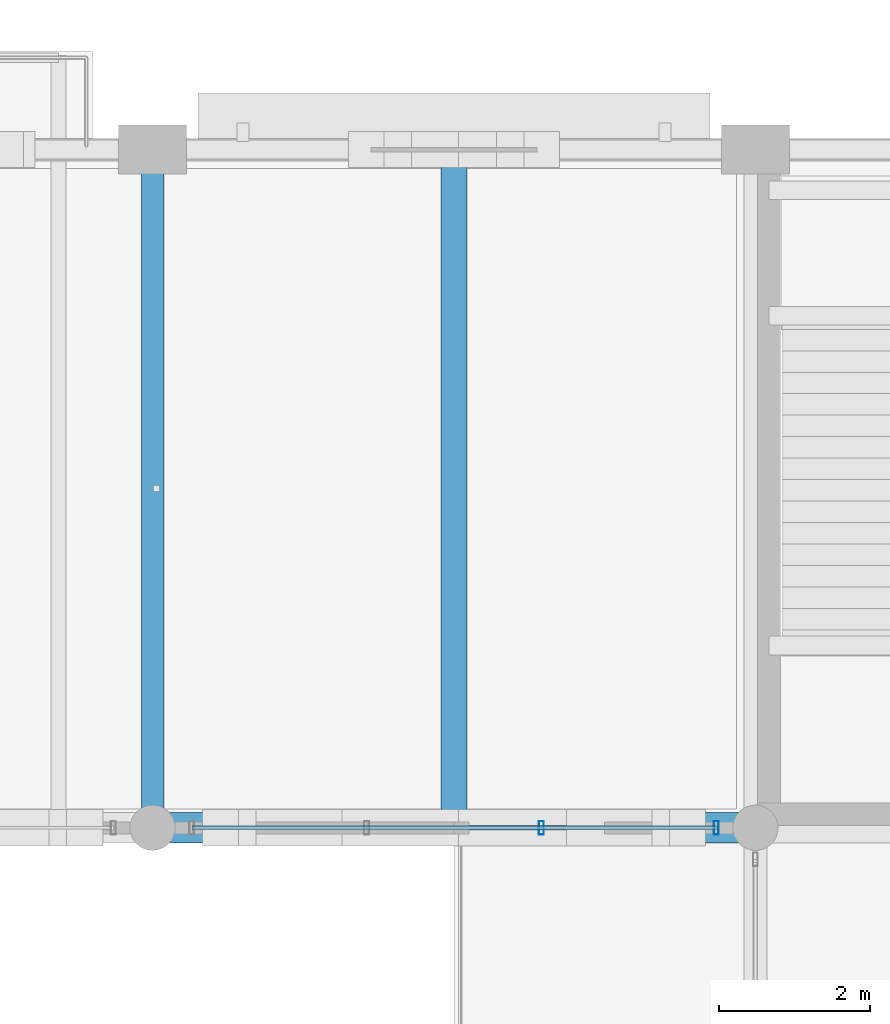
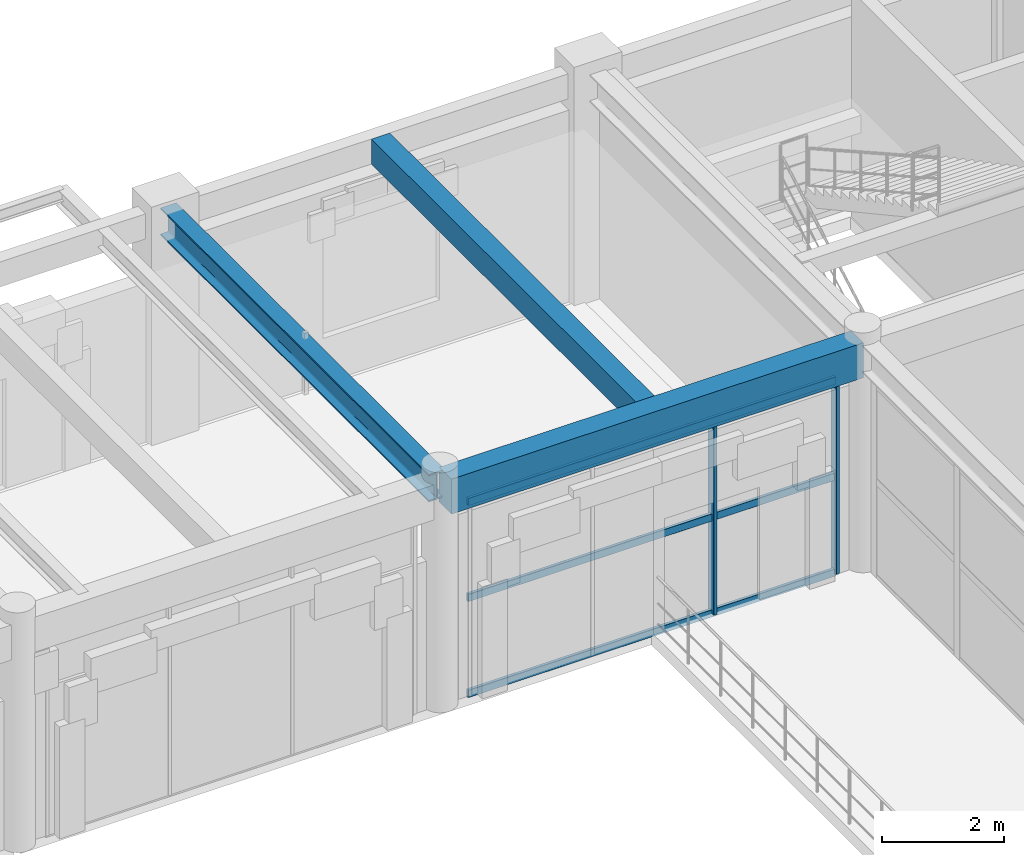
# One storey, part 68 of 144: 5 members, 3 beams, 1 element without a shape of its own.
"""IFC4 building model written with IfcOpenShell, lengths in metres."""

from ifc_helpers import new_model, si_unit, direction, frame, origin, origin_2d, place, context, subcontext, project, spatial, rectangle, hollow_rectangle, i_section, extrude, material, material_profile, profile_set, type_object, element, aggregate, save


model = new_model("IFC4")

# Units and contexts
model_context = context("Model", 3, precision=1e-05, world=origin(), true_north=direction((0.0, 1.0)))
body_context = subcontext(model_context, "Body", "Model", "MODEL_VIEW")
ifc_project = project(units=[si_unit("LENGTHUNIT", "METRE"), si_unit("AREAUNIT", "SQUARE_METRE"), si_unit("VOLUMEUNIT", "CUBIC_METRE"), si_unit("PLANEANGLEUNIT", "RADIAN"), si_unit("MASSUNIT", "GRAM", prefix="KILO")], contexts=[model_context])

# Site, building, storey
site_placement = place(None, origin())
site = spatial("IfcSite", under=ifc_project, at=site_placement, CompositionType="ELEMENT")
building_placement = place(site_placement, origin())
building = spatial("IfcBuilding", under=site, at=building_placement, Name="Varnabhumi Central Station", CompositionType="ELEMENT")
storey_placement = place(building_placement, frame((0.0, 0.0, 4.800048828125)))
storey = spatial("IfcBuildingStorey", under=building, at=storey_placement, Name="L01", CompositionType="ELEMENT", Elevation=4.800048828125)

# Beams
ifc_material_1 = material(Name="Concrete M40", Category="concrete")
ifc_material_profile_1 = material_profile(ifc_material_1, rectangle(XDim=0.35009765625, YDim=0.5, at=origin_2d()), Name="Concrete M40", Category="concrete")
ifc_profile_set_1 = profile_set([ifc_material_profile_1], Name="Concrete M40")
beam_type_1 = type_object("IfcBeamType", Name="BM-RC-350x500", PredefinedType="JOIST", material=ifc_profile_set_1)
beam_1_placement = place(storey_placement, frame((76.0, 107.199951171875, 4.300048828125), z_axis=(0.0, 1.0, 0.0), x_axis=(-1.0, 0.0, 0.0)))
element("IfcBeam", 1, at=beam_1_placement, inside=storey, type_object=beam_type_1, Name="Secondary Joist L01-10/11:N-P", PredefinedType="JOIST", context=body_context, shape_type="SweptSolid", body=[
    extrude(rectangle(XDim=0.35009765625, YDim=0.5, at=origin_2d()), origin(), (0.0, 0.0, 1.0), 8.675048828125),
])
ifc_material_profile_2 = material_profile(ifc_material_1, rectangle(XDim=0.39990234375, YDim=0.699951171875, at=origin_2d()), Name="Concrete M40", Category="concrete")
ifc_profile_set_2 = profile_set([ifc_material_profile_2], Name="Concrete M40")
beam_type_2 = type_object("IfcBeamType", Name="BM-RC-400x700", PredefinedType="BEAM", material=ifc_profile_set_2)
beam_2_placement = place(storey_placement, frame((72.10009765625, 107.0, 4.199951171875), z_axis=(1.0, 0.0, 0.0), x_axis=(0.0, 1.0, 0.0)))
element("IfcBeam", 2, at=beam_2_placement, inside=storey, type_object=beam_type_2, Name="Beam L01-N:10-11", PredefinedType="BEAM", context=body_context, shape_type="SweptSolid", body=[
    extrude(rectangle(XDim=0.39990234375, YDim=0.699951171875, at=origin_2d()), origin(), (0.0, 0.0, 1.0), 7.7998046875),
])
ifc_material_2 = material(Name="Structural steel E350", Category="steel")
ifc_material_profile_3 = material_profile(ifc_material_2, i_section(OverallWidth=0.300048828125, OverallDepth=0.550048828125, WebThickness=0.014892578125, FlangeThickness=0.029052734375, FilletRadius=0.027099609375, at=origin_2d()), Name="Structural steel E350", Category="steel")
ifc_profile_set_3 = profile_set([ifc_material_profile_3], Name="Structural steel E350")
beam_type_3 = type_object("IfcBeamType", Name="BM-STL-WPB550", PredefinedType="BEAM", material=ifc_profile_set_3)
beam_3_placement = place(storey_placement, frame((72.0, 107.10009765625, 4.27490234375), z_axis=(0.0, 1.0, 0.0), x_axis=(-1.0, 0.0, 0.0)))
element("IfcBeam", 3, at=beam_3_placement, inside=storey, type_object=beam_type_3, Name="Beam L01-10:N-P", PredefinedType="BEAM", context=body_context, shape_type="SweptSolid", body=[
    extrude(i_section(OverallWidth=0.300048828125, OverallDepth=0.550048828125, WebThickness=0.014892578125, FlangeThickness=0.029052734375, FilletRadius=0.027099609375, at=origin_2d()), origin(), (0.0, 0.0, 1.0), 8.7998046875),
])

# Curtain wall, members
ifc_material_3 = material(Name="Anodised aluminium 6063-T6", Category="aluminium")
curtain_wall_type = type_object("IfcCurtainWallType", Name="CW-PATIO-LOGGIA-L1", PredefinedType="NOTDEFINED", material=ifc_material_3)
curtain_wall_placement = place(storey_placement, origin())
curtain_wall = element("IfcCurtainWall", 4, at=curtain_wall_placement, inside=storey, type_object=curtain_wall_type, Name="Curtain Wall CW-NP1N4", PredefinedType="NOTDEFINED")
ifc_material_profile_4 = material_profile(ifc_material_3, hollow_rectangle(XDim=0.06494140625, YDim=0.179931640625, WallThickness=0.00390625, InnerFilletRadius=0.001953125, OuterFilletRadius=0.006103515625, at=origin_2d()), Name="Anodised aluminium 6063-T6", Category="aluminium")
ifc_profile_set_4 = profile_set([ifc_material_profile_4], Name="Anodised aluminium 6063-T6")
member_type_1 = type_object("IfcMemberType", Name="CW-MUL-180", PredefinedType="MULLION", material=ifc_profile_set_4)
member_1_placement = place(storey_placement, frame((77.159912109375, 107.0, 0.0), z_axis=(0.0, 0.0, 1.0), x_axis=(1.0, 0.0, 0.0)))
member_1 = element("IfcMember", 5, at=member_1_placement, type_object=member_type_1, Name="Curtain Wall Mullion CW-NP1N4-M3", PredefinedType="MULLION", context=body_context, shape_type="SweptSolid", body=[
    extrude(hollow_rectangle(XDim=0.06494140625, YDim=0.179931640625, WallThickness=0.00390625, InnerFilletRadius=0.001953125, OuterFilletRadius=0.006103515625, at=origin_2d()), origin(), (0.0, 0.0, 1.0), 3.83984375),
])
member_2_placement = place(storey_placement, frame((79.47998046875, 107.0, 0.0), z_axis=(0.0, 0.0, 1.0), x_axis=(1.0, 0.0, 0.0)))
member_2 = element("IfcMember", 6, at=member_2_placement, type_object=member_type_1, Name="Curtain Wall Mullion CW-NP1N4-M4", PredefinedType="MULLION", context=body_context, shape_type="SweptSolid", body=[
    extrude(hollow_rectangle(XDim=0.06494140625, YDim=0.179931640625, WallThickness=0.00390625, InnerFilletRadius=0.001953125, OuterFilletRadius=0.006103515625, at=origin_2d()), origin(), (0.0, 0.0, 1.0), 3.83984375),
])
ifc_material_profile_5 = material_profile(ifc_material_3, hollow_rectangle(XDim=0.06005859375, YDim=0.14990234375, WallThickness=0.00390625, InnerFilletRadius=0.001953125, OuterFilletRadius=0.006103515625, at=origin_2d()), Name="Anodised aluminium 6063-T6", Category="aluminium")
ifc_profile_set_5 = profile_set([ifc_material_profile_5], Name="Anodised aluminium 6063-T6")
member_type_2 = type_object("IfcMemberType", Name="CW-TR-150", PredefinedType="USERDEFINED", material=ifc_profile_set_5)
member_3_placement = place(storey_placement, frame((72.52001953125, 107.0, 0.0), z_axis=(1.0, 0.0, 0.0), x_axis=(0.0, 1.0, 0.0)))
member_3 = element("IfcMember", 7, at=member_3_placement, type_object=member_type_2, Name="Curtain Wall Transom CW-NP1N4-T1", ObjectType="TRANSOM", PredefinedType="USERDEFINED", context=body_context, shape_type="SweptSolid", body=[
    extrude(hollow_rectangle(XDim=0.06005859375, YDim=0.14990234375, WallThickness=0.00390625, InnerFilletRadius=0.001953125, OuterFilletRadius=0.006103515625, at=origin_2d()), origin(), (0.0, 0.0, 1.0), 6.9599609375),
])
member_4_placement = place(storey_placement, frame((72.52001953125, 107.0, 1.919921875), z_axis=(1.0, 0.0, 0.0), x_axis=(0.0, 1.0, 0.0)))
member_4 = element("IfcMember", 8, at=member_4_placement, type_object=member_type_2, Name="Curtain Wall Transom CW-NP1N4-T2", ObjectType="TRANSOM", PredefinedType="USERDEFINED", context=body_context, shape_type="SweptSolid", body=[
    extrude(hollow_rectangle(XDim=0.06005859375, YDim=0.14990234375, WallThickness=0.00390625, InnerFilletRadius=0.001953125, OuterFilletRadius=0.006103515625, at=origin_2d()), origin(), (0.0, 0.0, 1.0), 6.9599609375),
])
member_5_placement = place(storey_placement, frame((72.52001953125, 107.0, 3.83984375), z_axis=(1.0, 0.0, 0.0), x_axis=(0.0, 1.0, 0.0)))
member_5 = element("IfcMember", 9, at=member_5_placement, type_object=member_type_2, Name="Curtain Wall Transom CW-NP1N4-T3", ObjectType="TRANSOM", PredefinedType="USERDEFINED", context=body_context, shape_type="SweptSolid", body=[
    extrude(hollow_rectangle(XDim=0.06005859375, YDim=0.14990234375, WallThickness=0.00390625, InnerFilletRadius=0.001953125, OuterFilletRadius=0.006103515625, at=origin_2d()), origin(), (0.0, 0.0, 1.0), 6.9599609375),
])
aggregate(curtain_wall, [member_1, member_2, member_3, member_4, member_5])

save(model, "model.ifc")
